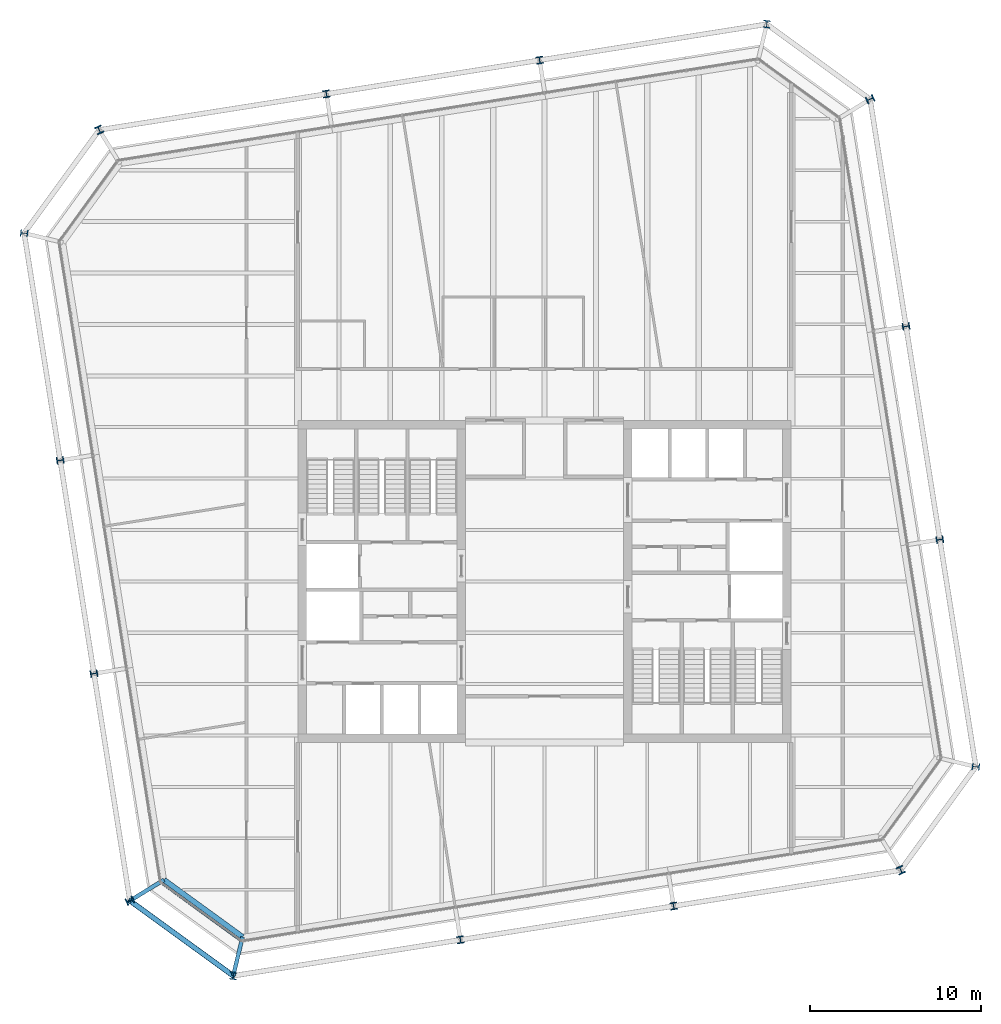
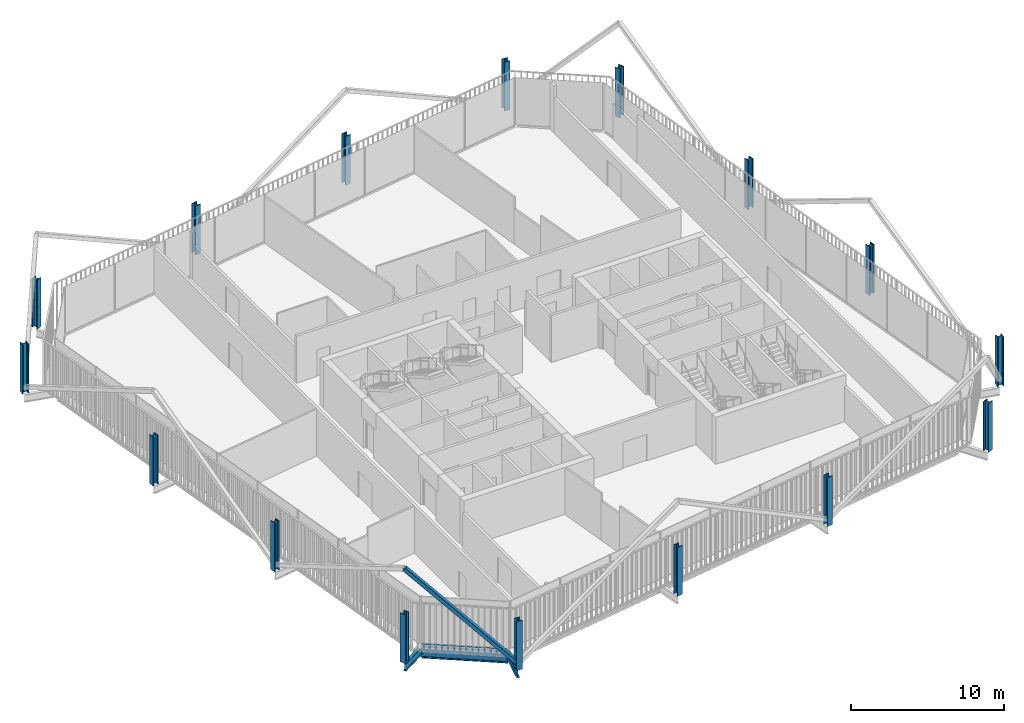
# One storey, part 1 of 21: 16 columns, 3 beams, 2 members, 1 element without a shape of its own.
"""IFC4 building model written with IfcOpenShell, lengths in metres."""

from ifc_helpers import new_model, si_unit, direction, frame, origin, origin_2d, place, context, subcontext, project, spatial, rectangle, hollow_rectangle, i_section, extrude, material, layer, layer_set, material_profile, profile_set, type_object, element, aggregate, save


model = new_model("IFC4")

# Units and contexts
model_context = context("Model", 3, precision=1e-05, world=origin(), true_north=direction((0.0, 1.0)))
body_context = subcontext(model_context, "Body", "Model", "MODEL_VIEW")
ifc_project = project(units=[si_unit("LENGTHUNIT", "METRE"), si_unit("AREAUNIT", "SQUARE_METRE"), si_unit("VOLUMEUNIT", "CUBIC_METRE"), si_unit("PLANEANGLEUNIT", "RADIAN"), si_unit("MASSUNIT", "GRAM", prefix="KILO")], contexts=[model_context])

# Site, building, storey
site_placement = place(None, origin())
site = spatial("IfcSite", under=ifc_project, at=site_placement, CompositionType="ELEMENT")
building_placement = place(site_placement, origin())
building = spatial("IfcBuilding", under=site, at=building_placement, Name="Millrace Tower", CompositionType="ELEMENT")
storey_placement = place(building_placement, frame((0.0, 0.0, 212.5)))
storey = spatial("IfcBuildingStorey", under=building, at=storey_placement, Name="L48", CompositionType="ELEMENT", Elevation=212.5)

# Columns
ifc_material_1 = material(Name="Steel ASTM A913 Grade 65", Category="steel")
ifc_material_profile_1 = material_profile(ifc_material_1, i_section(OverallWidth=0.408935546875, OverallDepth=0.424072265625, WebThickness=0.03271484375, FlangeThickness=0.052490234375, FilletRadius=0.01513671875, at=origin_2d()))
ifc_profile_set_1 = profile_set([ifc_material_profile_1], Name="Steel ASTM A913 Grade 65")
column_type_1 = type_object("IfcColumnType", Name="Exoskeleton column W14x283", PredefinedType="COLUMN", material=ifc_profile_set_1)
for number, where, z_axis, x_axis, name in (
    (1, (-4.91162109375, -20.927734375, 0.0), (0.0, 0.0, 1.0), (0.987688341035, 0.156434462265, 0.0), "COL-D-L48-X03"),
    (2, (7.533203125, -18.956787109375, 0.0), (0.0, 0.0, 1.0), (0.987688341035, 0.156434462265, 0.0), "COL-D-L48-X04"),
    (3, (23.07763671875, 2.4384765625, 0.0), (0.0, 0.0, 1.0), (-0.156434462265, 0.987688341035, 0.0), "COL-D-L48-X07"),
    (4, (21.106689453125, 14.88330078125, 0.0), (0.0, 0.0, 1.0), (-0.156434462265, 0.987688341035, 0.0), "COL-D-L48-X08"),
    (5, (-0.288330078125, 30.427734375, 0.0), (0.0, 0.0, 1.0), (-0.987688341035, -0.156434462265, 0.0), "COL-D-L48-X11"),
    (6, (-12.7333984375, 28.456787109375, 0.0), (0.0, 0.0, 1.0), (-0.987688341035, -0.156434462265, 0.0), "COL-D-L48-X12"),
    (7, (-28.27783203125, 7.0615234375, 0.0), (0.0, 0.0, 1.0), (0.156434462265, -0.987688341035, 0.0), "COL-D-L48-X15"),
    (8, (-26.306640625, -5.38330078125, 0.0), (0.0, 0.0, 1.0), (0.156434462265, -0.987688341035, 0.0), "COL-D-L48-X16"),
):
    element("IfcColumn", number, at=place(storey_placement, frame(where, z_axis=z_axis, x_axis=x_axis)), inside=storey, type_object=column_type_1, Name=name, PredefinedType="COLUMN", context=body_context, shape_type="SweptSolid", body=[
        extrude(i_section(OverallWidth=0.408935546875, OverallDepth=0.424072265625, WebThickness=0.03271484375, FlangeThickness=0.052490234375, FilletRadius=0.01513671875, at=origin_2d()), origin(), (0.0, 0.0, 1.0), 3.89990234375),
    ])
ifc_material_2 = material(Name="Steel ASTM A913 Grade 65", Category="steel")
ifc_material_profile_2 = material_profile(ifc_material_2, i_section(OverallWidth=0.41650390625, OverallDepth=0.444580078125, WebThickness=0.0390625, FlangeThickness=0.062744140625, FilletRadius=0.01513671875, at=origin_2d()))
ifc_profile_set_2 = profile_set([ifc_material_profile_2], Name="Steel ASTM A913 Grade 65")
column_type_2 = type_object("IfcColumnType", Name="Exoskeleton column W14x342", PredefinedType="COLUMN", material=ifc_profile_set_2)
for number, where, z_axis, x_axis, name in (
    (9, (-24.2060546875, -18.646484375, 0.0), (0.0, 0.0, 1.0), (0.418552981224, -0.908192381552, 0.0), "COL-D-L48-X01"),
    (10, (-18.174560546875, -23.0283203125, 0.0), (0.0, 0.0, 1.0), (0.993082267365, -0.117420655103, 0.0), "COL-D-L48-X02"),
    (11, (20.79638671875, -16.85595703125, 0.0), (0.0, 0.0, 1.0), (0.908192381552, 0.418552981224, 0.0), "COL-D-L48-X05"),
    (12, (25.178466796875, -10.82470703125, 0.0), (0.0, 0.0, 1.0), (0.117420655103, 0.993082267365, 0.0), "COL-D-L48-X06"),
    (13, (19.006103515625, 28.146484375, 0.0), (0.0, 0.0, 1.0), (-0.418552981224, 0.908192381552, 0.0), "COL-D-L48-X09"),
    (14, (12.974609375, 32.5283203125, 0.0), (0.0, 0.0, 1.0), (-0.993082267365, 0.117420655103, 0.0), "COL-D-L48-X10"),
    (15, (-25.996337890625, 26.35595703125, 0.0), (0.0, 0.0, 1.0), (-0.908192381552, -0.418552981224, 0.0), "COL-D-L48-X13"),
    (16, (-30.37841796875, 20.32470703125, 0.0), (0.0, 0.0, 1.0), (-0.117420655103, -0.993082267365, 0.0), "COL-D-L48-X14"),
):
    element("IfcColumn", number, at=place(storey_placement, frame(where, z_axis=z_axis, x_axis=x_axis)), inside=storey, type_object=column_type_2, Name=name, PredefinedType="COLUMN", context=body_context, shape_type="SweptSolid", body=[
        extrude(i_section(OverallWidth=0.41650390625, OverallDepth=0.444580078125, WebThickness=0.0390625, FlangeThickness=0.062744140625, FilletRadius=0.01513671875, at=origin_2d()), origin(), (0.0, 0.0, 1.0), 3.89990234375),
    ])

# Curtain wall, member
ifc_material_3 = material(Name="Aluminium and glass", Category="aluminium")
ifc_layer = layer(ifc_material_3, 0.14990234375)
ifc_layer_set = layer_set([ifc_layer], Name="Aluminium and glass")
curtain_wall_type = type_object("IfcCurtainWallType", Name="CW-1 office vision curtain wall", PredefinedType="NOTDEFINED", material=ifc_layer_set)
curtain_wall_placement = place(storey_placement, origin())
curtain_wall = element("IfcCurtainWall", 17, at=curtain_wall_placement, inside=storey, type_object=curtain_wall_type, Name="Curtain wall D-F01 L48", PredefinedType="NOTDEFINED")
ifc_material_4 = material(Name="Aluminium", Category="aluminium")
ifc_material_profile_3 = material_profile(ifc_material_4, rectangle(XDim=0.14990234375, YDim=0.139892578125, at=origin_2d()))
ifc_profile_set_3 = profile_set([ifc_material_profile_3], Name="Aluminium")
member_type_1 = type_object("IfcMemberType", Name="CW-1 office vision curtain wall transom", PredefinedType="USERDEFINED", material=ifc_profile_set_3)
member_1_placement = place(storey_placement, frame((-22.323486328125, -17.634765625, 0.070068359375), z_axis=(0.809033935994, -0.587761933448, 0.0), x_axis=(0.587761933448, 0.809033935994, 0.0)))
member_1 = element("IfcMember", 18, at=member_1_placement, type_object=member_type_1, Name="CW1 transom D-F01.1", ObjectType="TRANSOM", PredefinedType="USERDEFINED", context=body_context, shape_type="SweptSolid", body=[
    extrude(rectangle(XDim=0.14990234375, YDim=0.139892578125, at=origin_2d()), origin(), (0.0, 0.0, 1.0), 5.598388671875),
])
aggregate(curtain_wall, [member_1])

# Member
ifc_material_5 = material(Name="Steel ASTM A500 Grade C", Category="steel")
ifc_material_profile_4 = material_profile(ifc_material_5, hollow_rectangle(XDim=0.3046875, YDim=0.3046875, WallThickness=0.0126953125, InnerFilletRadius=0.00634765625, OuterFilletRadius=0.01904296875, at=origin_2d()))
ifc_profile_set_4 = profile_set([ifc_material_profile_4], Name="Steel ASTM A500 Grade C")
member_type_2 = type_object("IfcMemberType", Name="Exoskeleton brace HSS12x12x1/2", PredefinedType="BRACE", material=ifc_profile_set_4)
member_2_placement = place(storey_placement, frame((-18.174560546875, -23.0283203125, 0.39990234375), z_axis=(-0.589795997835, 0.428482435505, 0.684502361867), x_axis=(-0.587758820843, -0.809036197288, 0.0)))
element("IfcMember", 19, at=member_2_placement, inside=storey, type_object=member_type_2, Name="BRC-D-L48-01", PredefinedType="BRACE", context=body_context, shape_type="SweptSolid", body=[
    extrude(hollow_rectangle(XDim=0.3046875, YDim=0.3046875, WallThickness=0.0126953125, InnerFilletRadius=0.00634765625, OuterFilletRadius=0.01904296875, at=origin_2d()), origin(), (0.0, 0.0, 1.0), 10.226318359375),
])

# Beams
ifc_material_6 = material(Name="Steel ASTM A992 Grade 50", Category="steel")
ifc_material_profile_5 = material_profile(ifc_material_6, i_section(OverallWidth=0.23046875, OverallDepth=0.6171875, WebThickness=0.01318359375, FlangeThickness=0.022216796875, FilletRadius=0.012939453125, at=origin_2d()))
ifc_profile_set_5 = profile_set([ifc_material_profile_5], Name="Steel ASTM A992 Grade 50")
beam_type_1 = type_object("IfcBeamType", Name="Link beam W24x94", PredefinedType="BEAM", material=ifc_profile_set_5)
for number, where, z_axis, x_axis, name in (
    (20, (-22.218505859375, -17.428466796875, -0.468505859375), (-0.852631355792, -0.522512938711, 0.0), (0.522512938711, -0.852631355792, 0.0), "LNK-D-L48-S1-01"),
    (21, (-17.63037109375, -20.76171875, -0.468505859375), (-0.233456138164, -0.972367333652, 0.0), (0.972367333652, -0.233456138164, 0.0), "LNK-D-L48-S1-16"),
):
    element("IfcBeam", number, at=place(storey_placement, frame(where, z_axis=z_axis, x_axis=x_axis)), inside=storey, type_object=beam_type_1, Name=name, PredefinedType="BEAM", context=body_context, shape_type="SweptSolid", body=[
        extrude(i_section(OverallWidth=0.23046875, OverallDepth=0.6171875, WebThickness=0.01318359375, FlangeThickness=0.022216796875, FilletRadius=0.012939453125, at=origin_2d()), origin(), (0.0, 0.0, 1.0), 2.3310546875),
    ])
ifc_material_7 = material(Name="Steel ASTM A992 Grade 50", Category="steel")
ifc_material_profile_6 = material_profile(ifc_material_7, i_section(OverallWidth=0.307373046875, OverallDepth=0.927001953125, WebThickness=0.01953125, FlangeThickness=0.031982421875, FilletRadius=0.01904296875, at=origin_2d()))
ifc_profile_set_6 = profile_set([ifc_material_profile_6], Name="Steel ASTM A992 Grade 50")
beam_type_2 = type_object("IfcBeamType", Name="Ring beam short span W36x194", PredefinedType="SPANDREL", material=ifc_profile_set_6)
beam_placement = place(storey_placement, frame((-17.63037109375, -20.76171875, -0.62353515625), z_axis=(-0.809035699289, 0.587759506326, 0.0), x_axis=(-0.587759506326, -0.809035699289, 0.0)))
element("IfcBeam", 22, at=beam_placement, inside=storey, type_object=beam_type_2, Name="RNG-D-L48-S1-16", PredefinedType="SPANDREL", context=body_context, shape_type="SweptSolid", body=[
    extrude(i_section(OverallWidth=0.307373046875, OverallDepth=0.927001953125, WebThickness=0.01953125, FlangeThickness=0.031982421875, FilletRadius=0.01904296875, at=origin_2d()), origin(), (0.0, 0.0, 1.0), 5.671142578125),
])

save(model, "model.ifc")
